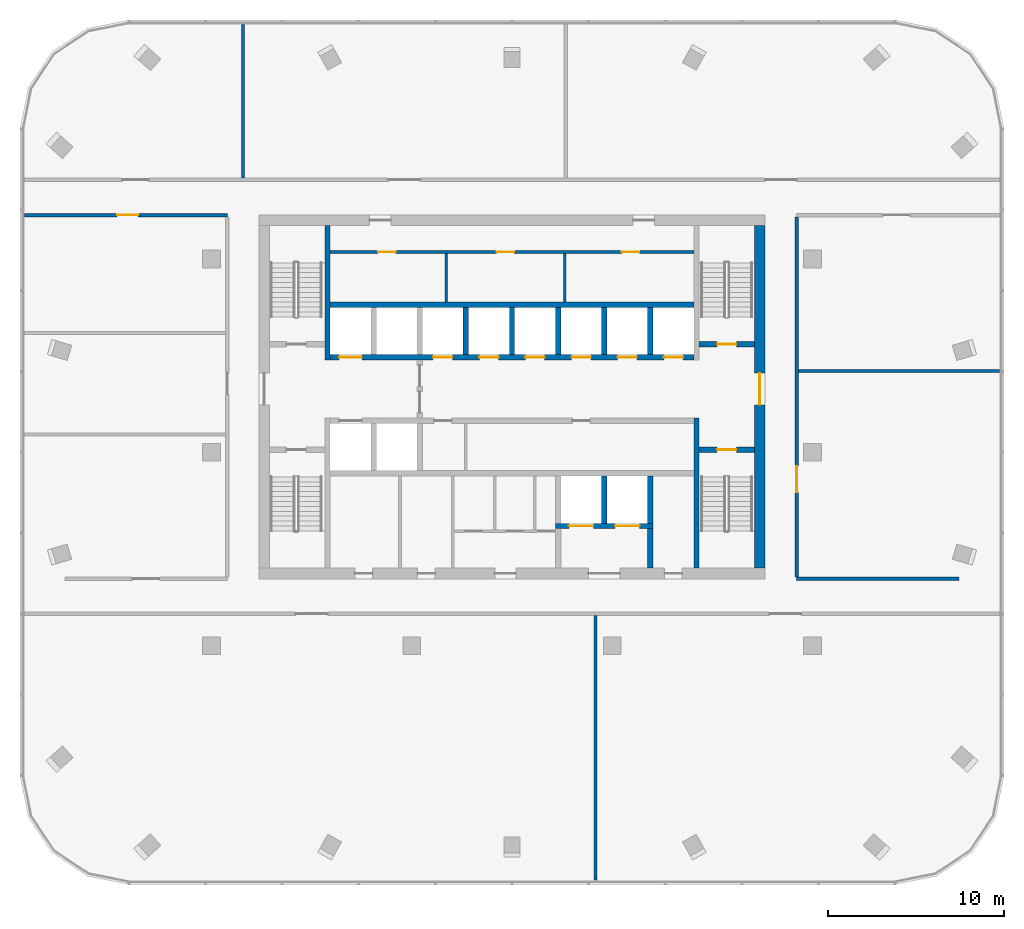
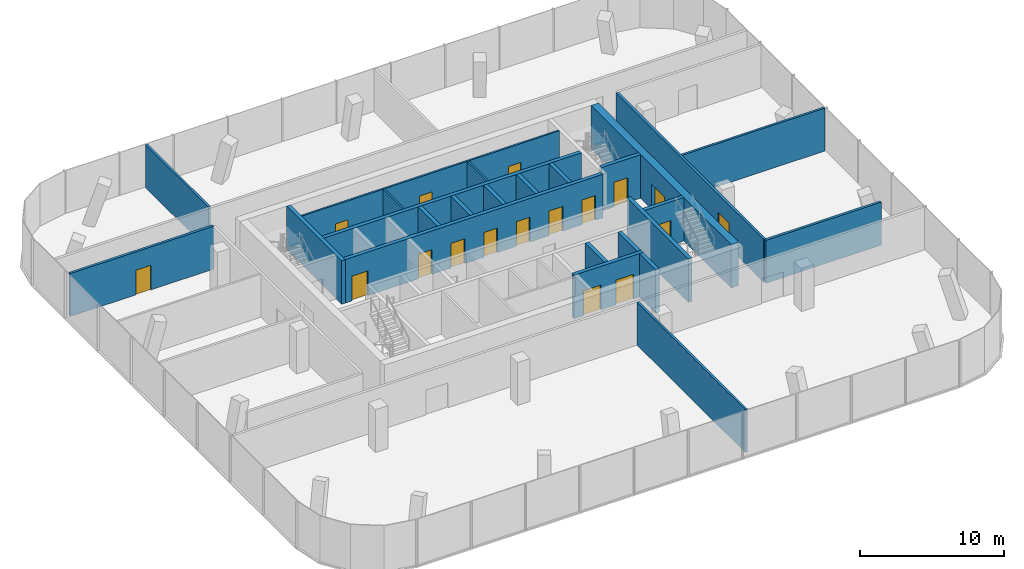
# One storey, part 8 of 10: 25 walls, 17 doors, 17 openings.
"""IFC4 building model written with IfcOpenShell, lengths in metres."""

from ifc_helpers import new_model, si_unit, direction, frame, frame_2d, origin, place, context, subcontext, project, spatial, rectangle, extrude, material, layer, layer_set, type_object, element, fill, save


model = new_model("IFC4")

# Units and contexts
model_context = context("Model", 3, precision=1e-05, world=origin(), true_north=direction((0.0, 1.0)))
body_context = subcontext(model_context, "Body", "Model", "MODEL_VIEW")
ifc_project = project(units=[si_unit("LENGTHUNIT", "METRE"), si_unit("AREAUNIT", "SQUARE_METRE"), si_unit("VOLUMEUNIT", "CUBIC_METRE"), si_unit("PLANEANGLEUNIT", "RADIAN"), si_unit("MASSUNIT", "GRAM", prefix="KILO")], contexts=[model_context])

# Site, building, storey
site_placement = place(None, origin())
site = spatial("IfcSite", under=ifc_project, at=site_placement, CompositionType="ELEMENT")
building_placement = place(site_placement, origin())
building = spatial("IfcBuilding", under=site, at=building_placement, Name="Mopane Tessera Tower", CompositionType="ELEMENT")
storey_placement = place(building_placement, frame((0.0, 0.0, 325.39990234375)))
storey = spatial("IfcBuildingStorey", under=building, at=storey_placement, Name="L71", CompositionType="ELEMENT", Elevation=325.39990234375)

# Walls
ifc_material_1 = material(Name="Fire-rated gypsum board partition")
ifc_layer_1 = layer(ifc_material_1, 0.14990234375)
ifc_layer_set_1 = layer_set([ifc_layer_1], Name="Fire-rated gypsum board partition")
wall_type_1 = type_object("IfcWallType", Name="Core room partition 150 mm", PredefinedType="PARTITIONING", material=ifc_layer_set_1)
for number, where, z_axis, x_axis, name in (
    (1, (-3.75, 8.550048828125, 0.0), (0.0, 0.0, 1.0), (0.0, 1.0, 0.0), "L71 Room partition"),
    (2, (3.0, 8.550048828125, 0.0), (0.0, 0.0, 1.0), (0.0, 1.0, 0.0), "L71 Room partition"),
):
    element("IfcWall", number, at=place(storey_placement, frame(where, z_axis=z_axis, x_axis=x_axis)), inside=storey, type_object=wall_type_1, Name=name, PredefinedType="PARTITIONING", context=body_context, shape_type="SweptSolid", body=[
        extrude(rectangle(XDim=2.77490234375, YDim=0.14990234375, at=frame_2d((1.387451171875, 0.0))), origin(), (0.0, 0.0, 1.0), 3.7001953125),
    ])

# Wall, openings, doors
wall_1_placement = place(storey_placement, frame((-10.35009765625, 11.39990234375, 0.0), z_axis=(0.0, 0.0, 1.0), x_axis=(1.0, 0.0, 0.0)))
wall_1 = element("IfcWall", 3, at=wall_1_placement, inside=storey, type_object=wall_type_1, Name="L71 Corridor wall", PredefinedType="PARTITIONING", context=body_context, shape_type="SweptSolid", body=[
    extrude(rectangle(XDim=20.7001953125, YDim=0.14990234375, at=frame_2d((10.35009765625, 0.0))), origin(), (0.0, 0.0, 1.0), 3.7001953125),
])
opening_1_placement = place(wall_1_placement, frame((2.72509765625, 0.0, 0.0)))
opening_1 = element("IfcOpeningElement", 4, at=opening_1_placement, cuts=wall_1, Name="Opening RD1", PredefinedType="OPENING", context=body_context, shape_type="SweptSolid", body=[
    extrude(rectangle(XDim=1.0, YDim=2.10009765625, at=frame_2d((0.5, 1.050048828125))), frame((0.0, 0.0869140625, 0.0), z_axis=(0.0, -1.0, 0.0), x_axis=(1.0, 0.0, 0.0)), (0.0, 0.0, 1.0), 0.173828125),
])
opening_2_placement = place(wall_1_placement, frame((9.47509765625, 0.0, 0.0)))
opening_2 = element("IfcOpeningElement", 5, at=opening_2_placement, cuts=wall_1, Name="Opening RD1", PredefinedType="OPENING", context=body_context, shape_type="SweptSolid", body=[
    extrude(rectangle(XDim=1.0, YDim=2.10009765625, at=frame_2d((0.5, 1.050048828125))), frame((0.0, 0.0869140625, 0.0), z_axis=(0.0, -1.0, 0.0), x_axis=(1.0, 0.0, 0.0)), (0.0, 0.0, 1.0), 0.173828125),
])
opening_3_placement = place(wall_1_placement, frame((16.60009765625, 0.0, 0.0)))
opening_3 = element("IfcOpeningElement", 6, at=opening_3_placement, cuts=wall_1, Name="Opening RD1", PredefinedType="OPENING", context=body_context, shape_type="SweptSolid", body=[
    extrude(rectangle(XDim=1.0, YDim=2.10009765625, at=frame_2d((0.5, 1.050048828125))), frame((0.0, 0.0869140625, 0.0), z_axis=(0.0, -1.0, 0.0), x_axis=(1.0, 0.0, 0.0)), (0.0, 0.0, 1.0), 0.173828125),
])
ifc_material_2 = material(Name="Timber door", Category="wood")
door_type_1 = type_object("IfcDoorType", Name="Core room door 1000 x 2100", OperationType="SINGLE_SWING_LEFT", PredefinedType="DOOR", material=ifc_material_2)
door_1_placement = place(opening_1_placement, origin())
door_1 = element("IfcDoor", 7, at=door_1_placement, inside=storey, type_object=door_type_1, Name="L71 Room door", OperationType="SINGLE_SWING_LEFT", OverallHeight=2.10009765625, OverallWidth=1.0, PredefinedType="DOOR", context=body_context, shape_type="SweptSolid", body=[
    extrude(rectangle(XDim=1.0, YDim=2.10009765625, at=frame_2d((0.5, 1.050048828125))), frame((0.0, 0.02490234375, 0.0), z_axis=(0.0, -1.0, 0.0), x_axis=(1.0, 0.0, 0.0)), (0.0, 0.0, 1.0), 0.050048828125),
])
fill(opening_1, door_1)
door_2_placement = place(opening_2_placement, origin())
door_2 = element("IfcDoor", 8, at=door_2_placement, inside=storey, type_object=door_type_1, Name="L71 Room door", OperationType="SINGLE_SWING_LEFT", OverallHeight=2.10009765625, OverallWidth=1.0, PredefinedType="DOOR", context=body_context, shape_type="SweptSolid", body=[
    extrude(rectangle(XDim=1.0, YDim=2.10009765625, at=frame_2d((0.5, 1.050048828125))), frame((0.0, 0.02490234375, 0.0), z_axis=(0.0, -1.0, 0.0), x_axis=(1.0, 0.0, 0.0)), (0.0, 0.0, 1.0), 0.050048828125),
])
fill(opening_2, door_2)
door_3_placement = place(opening_3_placement, origin())
door_3 = element("IfcDoor", 9, at=door_3_placement, inside=storey, type_object=door_type_1, Name="L71 Room door", OperationType="SINGLE_SWING_LEFT", OverallHeight=2.10009765625, OverallWidth=1.0, PredefinedType="DOOR", context=body_context, shape_type="SweptSolid", body=[
    extrude(rectangle(XDim=1.0, YDim=2.10009765625, at=frame_2d((0.5, 1.050048828125))), frame((0.0, 0.02490234375, 0.0), z_axis=(0.0, -1.0, 0.0), x_axis=(1.0, 0.0, 0.0)), (0.0, 0.0, 1.0), 0.050048828125),
])
fill(opening_3, door_3)

# Wall, opening, door
ifc_material_3 = material(Name="Concrete C70/85", Category="concrete")
ifc_layer_2 = layer(ifc_material_3, 0.60009765625)
ifc_layer_set_2 = layer_set([ifc_layer_2], Name="Concrete C70/85")
wall_type_2 = type_object("IfcWallType", Name="Core shear wall 600 mm", PredefinedType="SHEAR", material=ifc_layer_set_2)
wall_2_placement = place(storey_placement, frame((14.10009765625, -6.60009765625, 0.0), z_axis=(0.0, 0.0, 1.0), x_axis=(0.0, 1.0, 0.0)))
wall_2 = element("IfcWall", 10, at=wall_2_placement, inside=storey, type_object=wall_type_2, Name="L71 Core wall east", PredefinedType="SHEAR", context=body_context, shape_type="SweptSolid", body=[
    extrude(rectangle(XDim=19.5, YDim=0.60009765625, at=frame_2d((9.75, 0.0))), origin(), (0.0, 0.0, 1.0), 3.7001953125),
])
opening_4_placement = place(wall_2_placement, frame((9.300048828125, 0.0, 0.0)))
opening_4 = element("IfcOpeningElement", 11, at=opening_4_placement, cuts=wall_2, Name="Opening SD2", PredefinedType="OPENING", context=body_context, shape_type="SweptSolid", body=[
    extrude(rectangle(XDim=1.800048828125, YDim=2.10009765625, at=frame_2d((0.89990234375, 1.050048828125))), frame((0.0, 0.31201171875, 0.0), z_axis=(0.0, -1.0, 0.0), x_axis=(1.0, 0.0, 0.0)), (0.0, 0.0, 1.0), 0.6240234375),
])
ifc_material_4 = material(Name="Steel fire door", Category="steel")
door_type_2 = type_object("IfcDoorType", Name="Core entrance double door 1800 x 2100", OperationType="DOUBLE_DOOR_SINGLE_SWING", PredefinedType="DOOR", material=ifc_material_4)
door_4_placement = place(opening_4_placement, origin())
door_4 = element("IfcDoor", 12, at=door_4_placement, inside=storey, type_object=door_type_2, Name="L71 Core entrance door east", OperationType="DOUBLE_DOOR_SINGLE_SWING", OverallHeight=2.10009765625, OverallWidth=1.800048828125, PredefinedType="DOOR", context=body_context, shape_type="SweptSolid", body=[
    extrude(rectangle(XDim=1.800048828125, YDim=2.10009765625, at=frame_2d((0.89990234375, 1.050048828125))), frame((0.0, 0.02490234375, 0.0), z_axis=(0.0, -1.0, 0.0), x_axis=(1.0, 0.0, 0.0)), (0.0, 0.0, 1.0), 0.050048828125),
])
fill(opening_4, door_4)

# Walls
ifc_material_5 = material(Name="Concrete C60/75", Category="concrete")
ifc_layer_3 = layer(ifc_material_5, 0.300048828125)
ifc_layer_set_3 = layer_set([ifc_layer_3], Name="Concrete C60/75")
wall_type_3 = type_object("IfcWallType", Name="Core spine wall 300 mm", PredefinedType="SHEAR", material=ifc_layer_set_3)
wall_3_placement = place(storey_placement, frame((-10.5, 5.25, 0.0), z_axis=(0.0, 0.0, 1.0), x_axis=(0.0, 1.0, 0.0)))
element("IfcWall", 13, at=wall_3_placement, inside=storey, type_object=wall_type_3, Name="L71 Core spine wall", PredefinedType="SHEAR", context=body_context, shape_type="SweptSolid", body=[
    extrude(rectangle(XDim=7.64990234375, YDim=0.300048828125, at=frame_2d((3.824951171875, 0.0))), origin(), (0.0, 0.0, 1.0), 3.7001953125),
])
wall_4_placement = place(storey_placement, frame((10.5, -6.60009765625, 0.0), z_axis=(0.0, 0.0, 1.0), x_axis=(0.0, 1.0, 0.0)))
element("IfcWall", 14, at=wall_4_placement, inside=storey, type_object=wall_type_3, Name="L71 Core spine wall", PredefinedType="SHEAR", context=body_context, shape_type="SweptSolid", body=[
    extrude(rectangle(XDim=8.550048828125, YDim=0.300048828125, at=frame_2d((4.27490234375, 0.0))), origin(), (0.0, 0.0, 1.0), 3.7001953125),
])
ifc_material_6 = material(Name="Gypsum board on staggered steel studs, double layer each face, acoustic mineral wool infill", Category="steel")
ifc_layer_4 = layer(ifc_material_6, 0.175048828125)
ifc_layer_set_4 = layer_set([ifc_layer_4], Name="Gypsum board on staggered steel studs, double layer each face, acoustic mineral wool infill")
wall_type_4 = type_object("IfcWallType", Name="Gypsum board acoustic partition 175, rated EI 60", PredefinedType="PARTITIONING", material=ifc_layer_set_4)
wall_5_placement = place(storey_placement, frame((16.300048828125, 4.6298828125, 0.0), z_axis=(0.0, 0.0, 1.0), x_axis=(1.0, 0.0, 0.0)))
element("IfcWall", 15, at=wall_5_placement, inside=storey, type_object=wall_type_4, Name="Partition L71:004", PredefinedType="PARTITIONING", context=body_context, shape_type="SweptSolid", body=[
    extrude(rectangle(XDim=11.449951171875, YDim=0.175048828125, at=frame_2d((5.72509765625, 0.0))), origin(), (0.0, 0.0, 1.0), 3.650146484375),
])
wall_6_placement = place(storey_placement, frame((-15.304931640625, 15.60009765625, 0.0), z_axis=(0.0, 0.0, 1.0), x_axis=(0.0, 1.0, 0.0)))
element("IfcWall", 16, at=wall_6_placement, inside=storey, type_object=wall_type_4, Name="Partition L71:010", PredefinedType="PARTITIONING", context=body_context, shape_type="SweptSolid", body=[
    extrude(rectangle(XDim=8.75, YDim=0.175048828125, at=frame_2d((4.375, 0.0))), origin(), (0.0, 0.0, 1.0), 3.650146484375),
])
wall_7_placement = place(storey_placement, frame((4.760009765625, -24.35009765625, 0.0), z_axis=(0.0, 0.0, 1.0), x_axis=(0.0, 1.0, 0.0)))
element("IfcWall", 17, at=wall_7_placement, inside=storey, type_object=wall_type_4, Name="Partition L71:012", PredefinedType="PARTITIONING", context=body_context, shape_type="SweptSolid", body=[
    extrude(rectangle(XDim=15.050048828125, YDim=0.175048828125, at=frame_2d((7.52490234375, 0.0))), origin(), (0.0, 0.0, 1.0), 3.650146484375),
])
ifc_material_7 = material(Name="Gypsum board on steel studs, two layers each face, mineral wool infill", Category="steel")
ifc_layer_5 = layer(ifc_material_7, 0.199951171875)
ifc_layer_set_5 = layer_set([ifc_layer_5], Name="Gypsum board on steel studs, two layers each face, mineral wool infill")
wall_type_5 = type_object("IfcWallType", Name="Gypsum board corridor wall 200, rated EI 60", PredefinedType="PARTITIONING", material=ifc_layer_set_5)
wall_8_placement = place(storey_placement, frame((16.199951171875, -7.199951171875, 0.0), z_axis=(0.0, 0.0, 1.0), x_axis=(1.0, 0.0, 0.0)))
element("IfcWall", 18, at=wall_8_placement, inside=storey, type_object=wall_type_5, Name="Partition L71:002", PredefinedType="PARTITIONING", context=body_context, shape_type="SweptSolid", body=[
    extrude(rectangle(XDim=9.25, YDim=0.199951171875, at=frame_2d((4.625, 0.0))), origin(), (0.0, 0.0, 1.0), 3.650146484375),
])

# Wall, opening, door
wall_9_placement = place(storey_placement, frame((-27.75, 13.5, 0.0), z_axis=(0.0, 0.0, 1.0), x_axis=(1.0, 0.0, 0.0)))
wall_9 = element("IfcWall", 19, at=wall_9_placement, inside=storey, type_object=wall_type_5, Name="Partition L71:006", PredefinedType="PARTITIONING", context=body_context, shape_type="SweptSolid", body=[
    extrude(rectangle(XDim=11.550048828125, YDim=0.199951171875, at=frame_2d((5.77490234375, 0.0))), origin(), (0.0, 0.0, 1.0), 3.650146484375),
])
opening_5_placement = place(wall_9_placement, frame((5.27490234375, 0.0, 0.0)))
opening_5 = element("IfcOpeningElement", 20, at=opening_5_placement, cuts=wall_9, Name="Opening L71-02", PredefinedType="OPENING", context=body_context, shape_type="SweptSolid", body=[
    extrude(rectangle(XDim=1.199951171875, YDim=2.10009765625, at=frame_2d((0.60009765625, 1.050048828125))), frame((0.0, 0.112060546875, 0.0), z_axis=(0.0, -1.0, 0.0), x_axis=(1.0, 0.0, 0.0)), (0.0, 0.0, 1.0), 0.223876953125),
])
ifc_material_8 = material(Name="Timber veneered steel-framed fire door", Category="steel")
door_type_3 = type_object("IfcDoorType", Name="Fire door FD60 1200 x 2100", OperationType="SINGLE_SWING_LEFT", PredefinedType="DOOR", material=ifc_material_8)
door_5_placement = place(opening_5_placement, origin())
door_5 = element("IfcDoor", 21, at=door_5_placement, inside=storey, type_object=door_type_3, Name="Door L71-02", ObjectType="D15A", OperationType="SINGLE_SWING_RIGHT", OverallHeight=2.10009765625, OverallWidth=1.199951171875, PredefinedType="DOOR", context=body_context, shape_type="SweptSolid", body=[
    extrude(rectangle(XDim=1.199951171875, YDim=2.10009765625, at=frame_2d((0.60009765625, 1.050048828125))), frame((0.0, 0.02490234375, 0.0), z_axis=(0.0, -1.0, 0.0), x_axis=(1.0, 0.0, 0.0)), (0.0, 0.0, 1.0), 0.050048828125),
])
fill(opening_5, door_5)

wall_10_placement = place(storey_placement, frame((16.199951171875, -7.10009765625, 0.0), z_axis=(0.0, 0.0, 1.0), x_axis=(0.0, 1.0, 0.0)))
wall_10 = element("IfcWall", 22, at=wall_10_placement, inside=storey, type_object=wall_type_5, Name="Partition L71:013", PredefinedType="PARTITIONING", context=body_context, shape_type="SweptSolid", body=[
    extrude(rectangle(XDim=20.5, YDim=0.199951171875, at=frame_2d((10.25, 0.0))), origin(), (0.0, 0.0, 1.0), 3.650146484375),
])
opening_6_placement = place(wall_10_placement, frame((4.81494140625, 0.0, 0.0)))
opening_6 = element("IfcOpeningElement", 23, at=opening_6_placement, cuts=wall_10, Name="Opening L71-06", PredefinedType="OPENING", context=body_context, shape_type="SweptSolid", body=[
    extrude(rectangle(XDim=1.5, YDim=2.10009765625, at=frame_2d((0.75, 1.050048828125))), frame((0.0, 0.112060546875, 0.0), z_axis=(0.0, -1.0, 0.0), x_axis=(1.0, 0.0, 0.0)), (0.0, 0.0, 1.0), 0.223876953125),
])
ifc_material_9 = material(Name="Timber veneered steel-framed fire door", Category="steel")
door_type_4 = type_object("IfcDoorType", Name="Fire door pair FD60 1500 x 2100", OperationType="DOUBLE_DOOR_SINGLE_SWING", PredefinedType="DOOR", material=ifc_material_9)
door_6_placement = place(opening_6_placement, origin())
door_6 = element("IfcDoor", 24, at=door_6_placement, inside=storey, type_object=door_type_4, Name="Door L71-06", ObjectType="D17A", OperationType="DOUBLE_DOOR_SINGLE_SWING", OverallHeight=2.10009765625, OverallWidth=1.5, PredefinedType="DOOR", context=body_context, shape_type="SweptSolid", body=[
    extrude(rectangle(XDim=1.5, YDim=2.10009765625, at=frame_2d((0.75, 1.050048828125))), frame((0.0, 0.02490234375, 0.0), z_axis=(0.0, -1.0, 0.0), x_axis=(1.0, 0.0, 0.0)), (0.0, 0.0, 1.0), 0.050048828125),
])
fill(opening_6, door_6)

ifc_material_10 = material(Name="Concrete C50/60", Category="concrete")
ifc_layer_6 = layer(ifc_material_10, 0.300048828125)
ifc_layer_set_6 = layer_set([ifc_layer_6], Name="Concrete C50/60")
wall_type_6 = type_object("IfcWallType", Name="Lift and stair shaft wall 300 mm", PredefinedType="SOLIDWALL", material=ifc_layer_set_6)
wall_11_placement = place(storey_placement, frame((10.64990234375, 0.14990234375, 0.0), z_axis=(0.0, 0.0, 1.0), x_axis=(1.0, 0.0, 0.0)))
wall_11 = element("IfcWall", 25, at=wall_11_placement, inside=storey, type_object=wall_type_6, Name="L71 Stair enclosure wall", PredefinedType="SOLIDWALL", context=body_context, shape_type="SweptSolid", body=[
    extrude(rectangle(XDim=3.150146484375, YDim=0.300048828125, at=frame_2d((1.5751953125, 0.0))), origin(), (0.0, 0.0, 1.0), 3.7001953125),
])
opening_7_placement = place(wall_11_placement, frame((1.02490234375, 0.0, 0.0)))
opening_7 = element("IfcOpeningElement", 26, at=opening_7_placement, cuts=wall_11, Name="Opening SD1", PredefinedType="OPENING", context=body_context, shape_type="SweptSolid", body=[
    extrude(rectangle(XDim=1.10009765625, YDim=2.10009765625, at=frame_2d((0.550048828125, 1.050048828125))), frame((0.0, 0.162109375, 0.0), z_axis=(0.0, -1.0, 0.0), x_axis=(1.0, 0.0, 0.0)), (0.0, 0.0, 1.0), 0.323974609375),
])
ifc_material_11 = material(Name="Steel fire door", Category="steel")
door_type_5 = type_object("IfcDoorType", Name="Stair fire door 1100 x 2100", OperationType="SINGLE_SWING_LEFT", PredefinedType="DOOR", material=ifc_material_11)
door_7_placement = place(opening_7_placement, origin())
door_7 = element("IfcDoor", 27, at=door_7_placement, inside=storey, type_object=door_type_5, Name="L71 Stair door ST3", OperationType="SINGLE_SWING_RIGHT", OverallHeight=2.10009765625, OverallWidth=1.10009765625, PredefinedType="DOOR", context=body_context, shape_type="SweptSolid", body=[
    extrude(rectangle(XDim=1.10009765625, YDim=2.10009765625, at=frame_2d((0.550048828125, 1.050048828125))), frame((0.0, 0.02490234375, 0.0), z_axis=(0.0, -1.0, 0.0), x_axis=(1.0, 0.0, 0.0)), (0.0, 0.0, 1.0), 0.050048828125),
])
fill(opening_7, door_7)

wall_12_placement = place(storey_placement, frame((10.64990234375, 6.14990234375, 0.0), z_axis=(0.0, 0.0, 1.0), x_axis=(1.0, 0.0, 0.0)))
wall_12 = element("IfcWall", 28, at=wall_12_placement, inside=storey, type_object=wall_type_6, Name="L71 Stair enclosure wall", PredefinedType="SOLIDWALL", context=body_context, shape_type="SweptSolid", body=[
    extrude(rectangle(XDim=3.150146484375, YDim=0.300048828125, at=frame_2d((1.5751953125, 0.0))), origin(), (0.0, 0.0, 1.0), 3.7001953125),
])
opening_8_placement = place(wall_12_placement, frame((1.02490234375, 0.0, 0.0)))
opening_8 = element("IfcOpeningElement", 29, at=opening_8_placement, cuts=wall_12, Name="Opening SD1", PredefinedType="OPENING", context=body_context, shape_type="SweptSolid", body=[
    extrude(rectangle(XDim=1.10009765625, YDim=2.10009765625, at=frame_2d((0.550048828125, 1.050048828125))), frame((0.0, 0.162109375, 0.0), z_axis=(0.0, -1.0, 0.0), x_axis=(1.0, 0.0, 0.0)), (0.0, 0.0, 1.0), 0.323974609375),
])
door_8_placement = place(opening_8_placement, origin())
door_8 = element("IfcDoor", 30, at=door_8_placement, inside=storey, type_object=door_type_5, Name="L71 Stair door ST4", OperationType="SINGLE_SWING_RIGHT", OverallHeight=2.10009765625, OverallWidth=1.10009765625, PredefinedType="DOOR", context=body_context, shape_type="SweptSolid", body=[
    extrude(rectangle(XDim=1.10009765625, YDim=2.10009765625, at=frame_2d((0.550048828125, 1.050048828125))), frame((0.0, 0.02490234375, 0.0), z_axis=(0.0, -1.0, 0.0), x_axis=(1.0, 0.0, 0.0)), (0.0, 0.0, 1.0), 0.050048828125),
])
fill(opening_8, door_8)

# Wall, openings, doors
wall_13_placement = place(storey_placement, frame((-10.35009765625, 5.39990234375, 0.0), z_axis=(0.0, 0.0, 1.0), x_axis=(1.0, 0.0, 0.0)))
wall_13 = element("IfcWall", 31, at=wall_13_placement, inside=storey, type_object=wall_type_6, Name="L71 Lift shaft front wall", PredefinedType="SOLIDWALL", context=body_context, shape_type="SweptSolid", body=[
    extrude(rectangle(XDim=20.7001953125, YDim=0.300048828125, at=frame_2d((10.35009765625, 0.0))), origin(), (0.0, 0.0, 1.0), 3.7001953125),
])
opening_9_placement = place(wall_13_placement, frame((0.512451171875, 0.0, 0.0)))
opening_9 = element("IfcOpeningElement", 32, at=opening_9_placement, cuts=wall_13, Name="Opening LD2", PredefinedType="OPENING", context=body_context, shape_type="SweptSolid", body=[
    extrude(rectangle(XDim=1.300048828125, YDim=2.10009765625, at=frame_2d((0.64990234375, 1.050048828125))), frame((0.0, 0.162109375, 0.0), z_axis=(0.0, -1.0, 0.0), x_axis=(1.0, 0.0, 0.0)), (0.0, 0.0, 1.0), 0.323974609375),
])
opening_10_placement = place(wall_13_placement, frame((5.862548828125, 0.0, 0.0)))
opening_10 = element("IfcOpeningElement", 33, at=opening_10_placement, cuts=wall_13, Name="Opening LD", PredefinedType="OPENING", context=body_context, shape_type="SweptSolid", body=[
    extrude(rectangle(XDim=1.10009765625, YDim=2.10009765625, at=frame_2d((0.550048828125, 1.050048828125))), frame((0.0, 0.162109375, 0.0), z_axis=(0.0, -1.0, 0.0), x_axis=(1.0, 0.0, 0.0)), (0.0, 0.0, 1.0), 0.323974609375),
])
opening_11_placement = place(wall_13_placement, frame((8.487548828125, 0.0, 0.0)))
opening_11 = element("IfcOpeningElement", 34, at=opening_11_placement, cuts=wall_13, Name="Opening LD", PredefinedType="OPENING", context=body_context, shape_type="SweptSolid", body=[
    extrude(rectangle(XDim=1.10009765625, YDim=2.10009765625, at=frame_2d((0.550048828125, 1.050048828125))), frame((0.0, 0.162109375, 0.0), z_axis=(0.0, -1.0, 0.0), x_axis=(1.0, 0.0, 0.0)), (0.0, 0.0, 1.0), 0.323974609375),
])
opening_12_placement = place(wall_13_placement, frame((11.112548828125, 0.0, 0.0)))
opening_12 = element("IfcOpeningElement", 35, at=opening_12_placement, cuts=wall_13, Name="Opening LD", PredefinedType="OPENING", context=body_context, shape_type="SweptSolid", body=[
    extrude(rectangle(XDim=1.10009765625, YDim=2.10009765625, at=frame_2d((0.550048828125, 1.050048828125))), frame((0.0, 0.162109375, 0.0), z_axis=(0.0, -1.0, 0.0), x_axis=(1.0, 0.0, 0.0)), (0.0, 0.0, 1.0), 0.323974609375),
])
opening_13_placement = place(wall_13_placement, frame((13.737548828125, 0.0, 0.0)))
opening_13 = element("IfcOpeningElement", 36, at=opening_13_placement, cuts=wall_13, Name="Opening LD", PredefinedType="OPENING", context=body_context, shape_type="SweptSolid", body=[
    extrude(rectangle(XDim=1.10009765625, YDim=2.10009765625, at=frame_2d((0.550048828125, 1.050048828125))), frame((0.0, 0.162109375, 0.0), z_axis=(0.0, -1.0, 0.0), x_axis=(1.0, 0.0, 0.0)), (0.0, 0.0, 1.0), 0.323974609375),
])
opening_14_placement = place(wall_13_placement, frame((16.362548828125, 0.0, 0.0)))
opening_14 = element("IfcOpeningElement", 37, at=opening_14_placement, cuts=wall_13, Name="Opening LD", PredefinedType="OPENING", context=body_context, shape_type="SweptSolid", body=[
    extrude(rectangle(XDim=1.10009765625, YDim=2.10009765625, at=frame_2d((0.550048828125, 1.050048828125))), frame((0.0, 0.162109375, 0.0), z_axis=(0.0, -1.0, 0.0), x_axis=(1.0, 0.0, 0.0)), (0.0, 0.0, 1.0), 0.323974609375),
])
opening_15_placement = place(wall_13_placement, frame((18.987548828125, 0.0, 0.0)))
opening_15 = element("IfcOpeningElement", 38, at=opening_15_placement, cuts=wall_13, Name="Opening LD", PredefinedType="OPENING", context=body_context, shape_type="SweptSolid", body=[
    extrude(rectangle(XDim=1.10009765625, YDim=2.10009765625, at=frame_2d((0.550048828125, 1.050048828125))), frame((0.0, 0.162109375, 0.0), z_axis=(0.0, -1.0, 0.0), x_axis=(1.0, 0.0, 0.0)), (0.0, 0.0, 1.0), 0.323974609375),
])
ifc_material_12 = material(Name="Stainless steel sliding door", Category="steel")
door_type_6 = type_object("IfcDoorType", Name="Fire-fighting lift landing door 1300 x 2100", OperationType="DOUBLE_DOOR_SLIDING", PredefinedType="DOOR", material=ifc_material_12)
door_9_placement = place(opening_9_placement, origin())
door_9 = element("IfcDoor", 39, at=door_9_placement, inside=storey, type_object=door_type_6, Name="L71 Lift landing door FF2", OperationType="DOUBLE_DOOR_SLIDING", OverallHeight=2.10009765625, OverallWidth=1.300048828125, PredefinedType="DOOR", context=body_context, shape_type="SweptSolid", body=[
    extrude(rectangle(XDim=1.300048828125, YDim=2.10009765625, at=frame_2d((0.64990234375, 1.050048828125))), frame((0.0, 0.02490234375, 0.0), z_axis=(0.0, -1.0, 0.0), x_axis=(1.0, 0.0, 0.0)), (0.0, 0.0, 1.0), 0.050048828125),
])
fill(opening_9, door_9)
ifc_material_13 = material(Name="Stainless steel sliding door", Category="steel")
door_type_7 = type_object("IfcDoorType", Name="Lift landing door 1100 x 2100", OperationType="DOUBLE_DOOR_SLIDING", PredefinedType="DOOR", material=ifc_material_13)
door_10_placement = place(opening_10_placement, origin())
door_10 = element("IfcDoor", 40, at=door_10_placement, inside=storey, type_object=door_type_7, Name="L71 Lift landing door HR1", OperationType="DOUBLE_DOOR_SLIDING", OverallHeight=2.10009765625, OverallWidth=1.10009765625, PredefinedType="DOOR", context=body_context, shape_type="SweptSolid", body=[
    extrude(rectangle(XDim=1.10009765625, YDim=2.10009765625, at=frame_2d((0.550048828125, 1.050048828125))), frame((0.0, 0.02490234375, 0.0), z_axis=(0.0, -1.0, 0.0), x_axis=(1.0, 0.0, 0.0)), (0.0, 0.0, 1.0), 0.050048828125),
])
fill(opening_10, door_10)
door_11_placement = place(opening_11_placement, origin())
door_11 = element("IfcDoor", 41, at=door_11_placement, inside=storey, type_object=door_type_7, Name="L71 Lift landing door HR2", OperationType="DOUBLE_DOOR_SLIDING", OverallHeight=2.10009765625, OverallWidth=1.10009765625, PredefinedType="DOOR", context=body_context, shape_type="SweptSolid", body=[
    extrude(rectangle(XDim=1.10009765625, YDim=2.10009765625, at=frame_2d((0.550048828125, 1.050048828125))), frame((0.0, 0.02490234375, 0.0), z_axis=(0.0, -1.0, 0.0), x_axis=(1.0, 0.0, 0.0)), (0.0, 0.0, 1.0), 0.050048828125),
])
fill(opening_11, door_11)
door_12_placement = place(opening_12_placement, origin())
door_12 = element("IfcDoor", 42, at=door_12_placement, inside=storey, type_object=door_type_7, Name="L71 Lift landing door HR3", OperationType="DOUBLE_DOOR_SLIDING", OverallHeight=2.10009765625, OverallWidth=1.10009765625, PredefinedType="DOOR", context=body_context, shape_type="SweptSolid", body=[
    extrude(rectangle(XDim=1.10009765625, YDim=2.10009765625, at=frame_2d((0.550048828125, 1.050048828125))), frame((0.0, 0.02490234375, 0.0), z_axis=(0.0, -1.0, 0.0), x_axis=(1.0, 0.0, 0.0)), (0.0, 0.0, 1.0), 0.050048828125),
])
fill(opening_12, door_12)
door_13_placement = place(opening_13_placement, origin())
door_13 = element("IfcDoor", 43, at=door_13_placement, inside=storey, type_object=door_type_7, Name="L71 Lift landing door HR4", OperationType="DOUBLE_DOOR_SLIDING", OverallHeight=2.10009765625, OverallWidth=1.10009765625, PredefinedType="DOOR", context=body_context, shape_type="SweptSolid", body=[
    extrude(rectangle(XDim=1.10009765625, YDim=2.10009765625, at=frame_2d((0.550048828125, 1.050048828125))), frame((0.0, 0.02490234375, 0.0), z_axis=(0.0, -1.0, 0.0), x_axis=(1.0, 0.0, 0.0)), (0.0, 0.0, 1.0), 0.050048828125),
])
fill(opening_13, door_13)
door_14_placement = place(opening_14_placement, origin())
door_14 = element("IfcDoor", 44, at=door_14_placement, inside=storey, type_object=door_type_7, Name="L71 Lift landing door HR5", OperationType="DOUBLE_DOOR_SLIDING", OverallHeight=2.10009765625, OverallWidth=1.10009765625, PredefinedType="DOOR", context=body_context, shape_type="SweptSolid", body=[
    extrude(rectangle(XDim=1.10009765625, YDim=2.10009765625, at=frame_2d((0.550048828125, 1.050048828125))), frame((0.0, 0.02490234375, 0.0), z_axis=(0.0, -1.0, 0.0), x_axis=(1.0, 0.0, 0.0)), (0.0, 0.0, 1.0), 0.050048828125),
])
fill(opening_14, door_14)
door_15_placement = place(opening_15_placement, origin())
door_15 = element("IfcDoor", 45, at=door_15_placement, inside=storey, type_object=door_type_7, Name="L71 Lift landing door HR6", OperationType="DOUBLE_DOOR_SLIDING", OverallHeight=2.10009765625, OverallWidth=1.10009765625, PredefinedType="DOOR", context=body_context, shape_type="SweptSolid", body=[
    extrude(rectangle(XDim=1.10009765625, YDim=2.10009765625, at=frame_2d((0.550048828125, 1.050048828125))), frame((0.0, 0.02490234375, 0.0), z_axis=(0.0, -1.0, 0.0), x_axis=(1.0, 0.0, 0.0)), (0.0, 0.0, 1.0), 0.050048828125),
])
fill(opening_15, door_15)

# Walls
wall_14_placement = place(storey_placement, frame((-10.35009765625, 8.39990234375, 0.0), z_axis=(0.0, 0.0, 1.0), x_axis=(1.0, 0.0, 0.0)))
element("IfcWall", 46, at=wall_14_placement, inside=storey, type_object=wall_type_6, Name="L71 Lift shaft rear wall", PredefinedType="SOLIDWALL", context=body_context, shape_type="SweptSolid", body=[
    extrude(rectangle(XDim=20.7001953125, YDim=0.300048828125, at=frame_2d((10.35009765625, 0.0))), origin(), (0.0, 0.0, 1.0), 3.7001953125),
])
for number, where, z_axis, x_axis, name in (
    (47, (-2.625, 5.550048828125, 0.0), (0.0, 0.0, 1.0), (0.0, 1.0, 0.0), "L71 Lift shaft wall"),
    (48, (0.0, 5.550048828125, 0.0), (0.0, 0.0, 1.0), (0.0, 1.0, 0.0), "L71 Lift shaft wall"),
    (49, (2.625, 5.550048828125, 0.0), (0.0, 0.0, 1.0), (0.0, 1.0, 0.0), "L71 Lift shaft wall"),
    (50, (5.25, 5.550048828125, 0.0), (0.0, 0.0, 1.0), (0.0, 1.0, 0.0), "L71 Lift shaft wall"),
    (51, (7.875, 5.550048828125, 0.0), (0.0, 0.0, 1.0), (0.0, 1.0, 0.0), "L71 Lift shaft wall"),
):
    element("IfcWall", number, at=place(storey_placement, frame(where, z_axis=z_axis, x_axis=x_axis)), inside=storey, type_object=wall_type_6, Name=name, PredefinedType="SOLIDWALL", context=body_context, shape_type="SweptSolid", body=[
        extrude(rectangle(XDim=2.699951171875, YDim=0.300048828125, at=frame_2d((1.35009765625, 0.0))), origin(), (0.0, 0.0, 1.0), 3.7001953125),
    ])

# Wall, openings, doors
wall_15_placement = place(storey_placement, frame((2.47509765625, -4.199951171875, 0.0), z_axis=(0.0, 0.0, 1.0), x_axis=(1.0, 0.0, 0.0)))
wall_15 = element("IfcWall", 52, at=wall_15_placement, inside=storey, type_object=wall_type_6, Name="L71 Lift shaft front wall", PredefinedType="SOLIDWALL", context=body_context, shape_type="SweptSolid", body=[
    extrude(rectangle(XDim=5.5498046875, YDim=0.300048828125, at=frame_2d((2.77490234375, 0.0))), origin(), (0.0, 0.0, 1.0), 3.7001953125),
])
opening_16_placement = place(wall_15_placement, frame((0.762451171875, 0.0, 0.0)))
opening_16 = element("IfcOpeningElement", 53, at=opening_16_placement, cuts=wall_15, Name="Opening LD3", PredefinedType="OPENING", context=body_context, shape_type="SweptSolid", body=[
    extrude(rectangle(XDim=1.39990234375, YDim=2.10009765625, at=frame_2d((0.699951171875, 1.050048828125))), frame((0.0, 0.162109375, 0.0), z_axis=(0.0, -1.0, 0.0), x_axis=(1.0, 0.0, 0.0)), (0.0, 0.0, 1.0), 0.323974609375),
])
opening_17_placement = place(wall_15_placement, frame((3.387451171875, 0.0, 0.0)))
opening_17 = element("IfcOpeningElement", 54, at=opening_17_placement, cuts=wall_15, Name="Opening LD3", PredefinedType="OPENING", context=body_context, shape_type="SweptSolid", body=[
    extrude(rectangle(XDim=1.39990234375, YDim=2.10009765625, at=frame_2d((0.699951171875, 1.050048828125))), frame((0.0, 0.162109375, 0.0), z_axis=(0.0, -1.0, 0.0), x_axis=(1.0, 0.0, 0.0)), (0.0, 0.0, 1.0), 0.323974609375),
])
ifc_material_14 = material(Name="Stainless steel sliding door", Category="steel")
door_type_8 = type_object("IfcDoorType", Name="Service lift landing door 1400 x 2100", OperationType="DOUBLE_DOOR_SLIDING", PredefinedType="DOOR", material=ifc_material_14)
door_16_placement = place(opening_16_placement, origin())
door_16 = element("IfcDoor", 55, at=door_16_placement, inside=storey, type_object=door_type_8, Name="L71 Lift landing door SV1", OperationType="DOUBLE_DOOR_SLIDING", OverallHeight=2.10009765625, OverallWidth=1.39990234375, PredefinedType="DOOR", context=body_context, shape_type="SweptSolid", body=[
    extrude(rectangle(XDim=1.39990234375, YDim=2.10009765625, at=frame_2d((0.699951171875, 1.050048828125))), frame((0.0, 0.02490234375, 0.0), z_axis=(0.0, -1.0, 0.0), x_axis=(1.0, 0.0, 0.0)), (0.0, 0.0, 1.0), 0.050048828125),
])
fill(opening_16, door_16)
door_17_placement = place(opening_17_placement, origin())
door_17 = element("IfcDoor", 56, at=door_17_placement, inside=storey, type_object=door_type_8, Name="L71 Lift landing door SV2", OperationType="DOUBLE_DOOR_SLIDING", OverallHeight=2.10009765625, OverallWidth=1.39990234375, PredefinedType="DOOR", context=body_context, shape_type="SweptSolid", body=[
    extrude(rectangle(XDim=1.39990234375, YDim=2.10009765625, at=frame_2d((0.699951171875, 1.050048828125))), frame((0.0, 0.02490234375, 0.0), z_axis=(0.0, -1.0, 0.0), x_axis=(1.0, 0.0, 0.0)), (0.0, 0.0, 1.0), 0.050048828125),
])
fill(opening_17, door_17)

# Walls
for number, where, z_axis, x_axis, name in (
    (57, (5.25, -4.050048828125, 0.0), (0.0, 0.0, 1.0), (0.0, 1.0, 0.0), "L71 Lift shaft wall"),
    (58, (7.875, -4.050048828125, 0.0), (0.0, 0.0, 1.0), (0.0, 1.0, 0.0), "L71 Lift shaft wall"),
):
    element("IfcWall", number, at=place(storey_placement, frame(where, z_axis=z_axis, x_axis=x_axis)), inside=storey, type_object=wall_type_6, Name=name, PredefinedType="SOLIDWALL", context=body_context, shape_type="SweptSolid", body=[
        extrude(rectangle(XDim=2.699951171875, YDim=0.300048828125, at=frame_2d((1.35009765625, 0.0))), origin(), (0.0, 0.0, 1.0), 3.7001953125),
    ])
ifc_material_15 = material(Name="Concrete C50/60", Category="concrete")
ifc_layer_7 = layer(ifc_material_15, 0.300048828125)
ifc_layer_set_7 = layer_set([ifc_layer_7], Name="Concrete C50/60")
wall_type_7 = type_object("IfcWallType", Name="Lobby and refuge room wall 300 mm", PredefinedType="SOLIDWALL", material=ifc_layer_set_7)
wall_16_placement = place(storey_placement, frame((7.875, -6.60009765625, 0.0), z_axis=(0.0, 0.0, 1.0), x_axis=(0.0, 1.0, 0.0)))
element("IfcWall", 59, at=wall_16_placement, inside=storey, type_object=wall_type_7, Name="L71 Service lobby wall", PredefinedType="SOLIDWALL", context=body_context, shape_type="SweptSolid", body=[
    extrude(rectangle(XDim=2.25, YDim=0.300048828125, at=frame_2d((1.125, 0.0))), origin(), (0.0, 0.0, 1.0), 3.7001953125),
])

save(model, "model.ifc")
